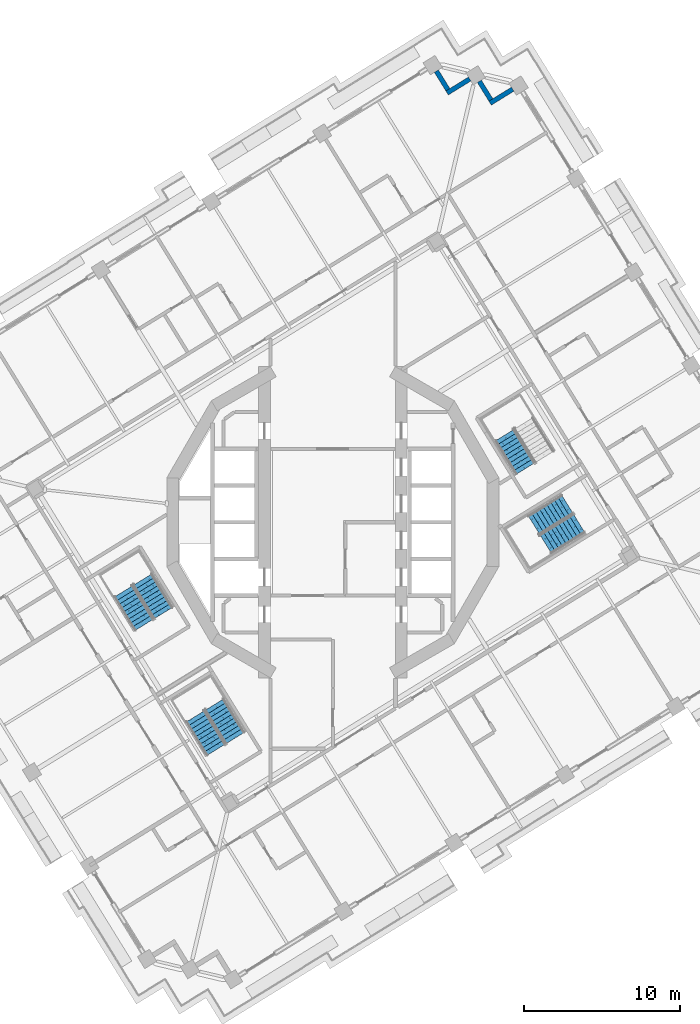
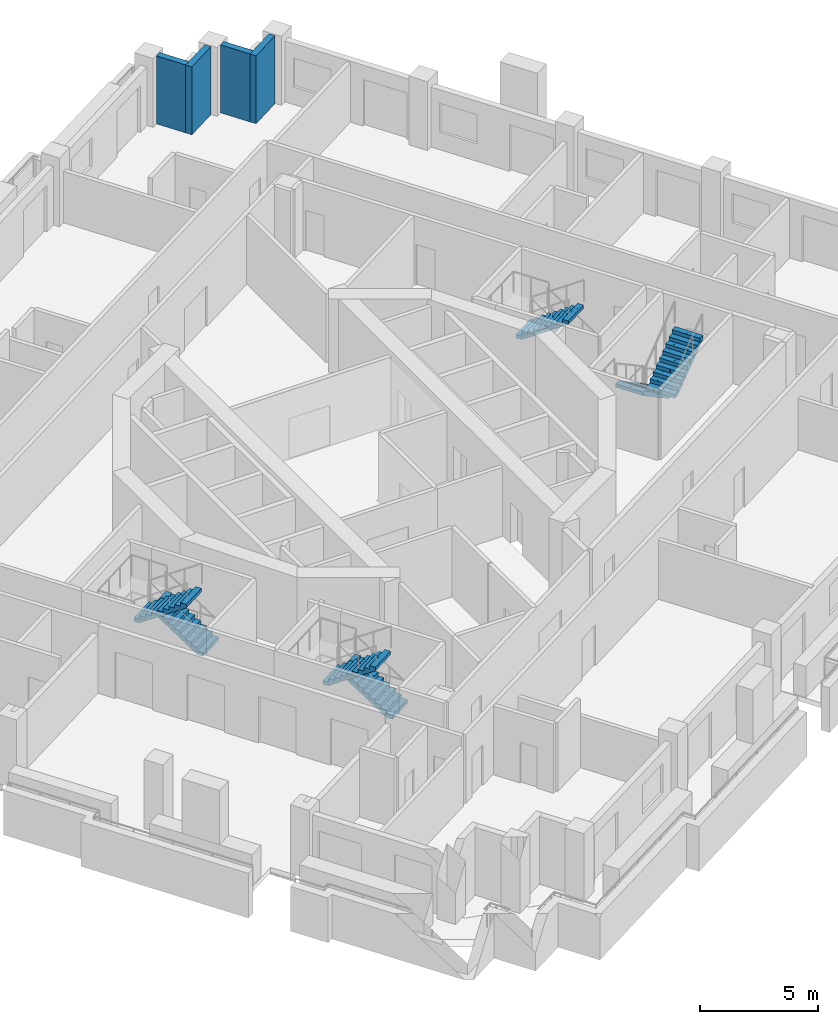
# One storey, part 10 of 20: 7 stair flights, 4 walls, 4 elements without a shape of their own.
"""IFC4 building model written with IfcOpenShell, lengths in metres."""

from ifc_helpers import new_model, si_unit, direction, frame, frame_2d, origin, place, context, subcontext, project, spatial, polyline, rectangle, outline, extrude, material, layer, layer_set, type_object, element, aggregate, save


model = new_model("IFC4")

# Units and contexts
model_context = context("Model", 3, precision=1e-05, world=origin(), true_north=direction((0.0, 1.0)))
body_context = subcontext(model_context, "Body", "Model", "MODEL_VIEW")
ifc_project = project(units=[si_unit("LENGTHUNIT", "METRE"), si_unit("AREAUNIT", "SQUARE_METRE"), si_unit("VOLUMEUNIT", "CUBIC_METRE"), si_unit("PLANEANGLEUNIT", "RADIAN"), si_unit("MASSUNIT", "GRAM", prefix="KILO")], contexts=[model_context])

# Site, building, storey
site_placement = place(None, origin())
site = spatial("IfcSite", under=ifc_project, at=site_placement, CompositionType="ELEMENT")
building_placement = place(site_placement, origin())
building = spatial("IfcBuilding", under=site, at=building_placement, Name="Cantera Rosa Tower", CompositionType="ELEMENT")
storey_placement = place(building_placement, frame((0.0, 0.0, 159.0)))
storey = spatial("IfcBuildingStorey", under=building, at=storey_placement, Name="L34", CompositionType="ELEMENT", Elevation=159.0)

# Walls
ifc_material_1 = material(Name="Hollow clay masonry with cantera stone cladding", Category="masonry")
ifc_layer = layer(ifc_material_1, 0.300048828125)
ifc_layer_set = layer_set([ifc_layer], Name="EW-LOGGIA 300")
wall_type = type_object("IfcWallType", Name="EW-LOGGIA 300", PredefinedType="SOLIDWALL", material=ifc_layer_set)
wall_1_placement = place(storey_placement, frame((11.51123046875, 27.72021484375, 0.0), z_axis=(0.0, 0.0, 1.0), x_axis=(-0.851130227454, -0.524954603669, 0.0)))
element("IfcWall", 1, at=wall_1_placement, inside=storey, type_object=wall_type, Name="EN-L34-W06a", PredefinedType="SOLIDWALL", context=body_context, shape_type="SweptSolid", body=[
    extrude(rectangle(XDim=1.699951171875, YDim=0.300048828125, at=frame_2d((0.85009765625, 0.0))), origin(), (0.0, 0.0, 1.0), 3.5),
])
wall_2_placement = place(storey_placement, frame((10.11328125, 27.0341796875, 0.0), z_axis=(0.0, 0.0, 1.0), x_axis=(-0.524895019961, 0.85116697423, 0.0)))
element("IfcWall", 2, at=wall_2_placement, inside=storey, type_object=wall_type, Name="EN-L34-W06b", PredefinedType="SOLIDWALL", context=body_context, shape_type="SweptSolid", body=[
    extrude(rectangle(XDim=1.39990234375, YDim=0.300048828125, at=frame_2d((0.699951171875, 0.0))), origin(), (0.0, 0.0, 1.0), 3.5),
])
wall_3_placement = place(storey_placement, frame((8.75927734375, 28.37255859375, 0.0), z_axis=(0.0, 0.0, 1.0), x_axis=(-0.851105638601, -0.524994468487, 0.0)))
element("IfcWall", 3, at=wall_3_placement, inside=storey, type_object=wall_type, Name="EN-L34-W07a", PredefinedType="SOLIDWALL", context=body_context, shape_type="SweptSolid", body=[
    extrude(rectangle(XDim=1.7001953125, YDim=0.300048828125, at=frame_2d((0.85009765625, 0.0))), origin(), (0.0, 0.0, 1.0), 3.5),
])
wall_4_placement = place(storey_placement, frame((7.361083984375, 27.6865234375, 0.0), z_axis=(0.0, 0.0, 1.0), x_axis=(-0.524895019961, 0.85116697423, 0.0)))
element("IfcWall", 4, at=wall_4_placement, inside=storey, type_object=wall_type, Name="EN-L34-W07b", PredefinedType="SOLIDWALL", context=body_context, shape_type="SweptSolid", body=[
    extrude(rectangle(XDim=1.39990234375, YDim=0.300048828125, at=frame_2d((0.699951171875, 0.0))), origin(), (0.0, 0.0, 1.0), 3.5),
])

# Stair, stair flight
ifc_material_2 = material(Name="Concrete C35/45", Category="concrete")
stair_type = type_object("IfcStairType", Name="EXIT STAIR 1350 DOGLEG", PredefinedType="HALF_TURN_STAIR", material=ifc_material_2)
stair_1_placement = place(storey_placement, origin())
stair_1 = element("IfcStair", 5, at=stair_1_placement, inside=storey, type_object=stair_type, Name="L34 ST-31", PredefinedType="HALF_TURN_STAIR")
ifc_material_3 = material(Name="Concrete C35/45", Category="concrete")
stair_flight_type = type_object("IfcStairFlightType", Name="STAIR FLIGHT 1350 R20x190", PredefinedType="STRAIGHT", material=ifc_material_3)
stair_flight_1_placement = place(storey_placement, frame((10.9736328125, 5.5595703125, 1.89990234375), z_axis=(0.0, 0.0, 1.0), x_axis=(0.524976585286, -0.851116669383, 0.0)))
stair_flight_1 = element("IfcStairFlight", 6, at=stair_flight_1_placement, type_object=stair_flight_type, Name="ST-31 flight 2", NumberOfRisers=10, NumberOfTreads=9, PredefinedType="STRAIGHT", RiserHeight=0.19, TreadLength=0.28, context=body_context, shape_type="SweptSolid", body=[
    extrude(outline(polyline([(0.0, 0.0), (0.0, 0.18994140625), (0.280029296875, 0.18994140625), (0.280029296875, 0.3798828125), (0.56005859375, 0.3798828125), (0.56005859375, 0.570068359375), (0.840087890625, 0.570068359375), (0.840087890625, 0.760009765625), (1.1201171875, 0.760009765625), (1.1201171875, 0.949951171875), (1.39990234375, 0.949951171875), (1.39990234375, 1.139892578125), (1.679931640625, 1.139892578125), (1.679931640625, 1.330078125), (1.9599609375, 1.330078125), (1.9599609375, 1.52001953125), (2.239990234375, 1.52001953125), (2.239990234375, 1.7099609375), (2.52001953125, 1.7099609375), (2.52001953125, 1.89990234375), (2.52001953125, 1.52880859375), (0.266845703125, 0.0), (0.0, 0.0)])), frame((0.0, 0.675048828125, 0.0), z_axis=(0.0, -1.0, 0.0), x_axis=(1.0, 0.0, 0.0)), (0.0, 0.0, 1.0), 0.3359375),
    extrude(outline(polyline([(0.0, 0.0), (0.0, 0.18994140625), (0.280029296875, 0.18994140625), (0.280029296875, 0.3798828125), (0.56005859375, 0.3798828125), (0.56005859375, 0.570068359375), (0.840087890625, 0.570068359375), (0.840087890625, 0.760009765625), (1.1201171875, 0.760009765625), (1.1201171875, 0.949951171875), (1.39990234375, 0.949951171875), (1.39990234375, 1.139892578125), (1.679931640625, 1.139892578125), (1.679931640625, 1.330078125), (1.9599609375, 1.330078125), (1.9599609375, 1.52001953125), (2.239990234375, 1.52001953125), (2.239990234375, 1.7099609375), (2.52001953125, 1.7099609375), (2.52001953125, 1.89990234375), (2.52001953125, 1.52880859375), (0.266845703125, 0.0), (0.0, 0.0)])), frame((0.0, 0.337158203125, 0.0), z_axis=(0.0, -1.0, 0.0), x_axis=(1.0, 0.0, 0.0)), (0.0, 0.0, 1.0), 0.3359375),
    extrude(outline(polyline([(0.0, 0.0), (0.0, 0.18994140625), (0.280029296875, 0.18994140625), (0.280029296875, 0.3798828125), (0.56005859375, 0.3798828125), (0.56005859375, 0.570068359375), (0.840087890625, 0.570068359375), (0.840087890625, 0.760009765625), (1.1201171875, 0.760009765625), (1.1201171875, 0.949951171875), (1.39990234375, 0.949951171875), (1.39990234375, 1.139892578125), (1.679931640625, 1.139892578125), (1.679931640625, 1.330078125), (1.9599609375, 1.330078125), (1.9599609375, 1.52001953125), (2.239990234375, 1.52001953125), (2.239990234375, 1.7099609375), (2.52001953125, 1.7099609375), (2.52001953125, 1.89990234375), (2.52001953125, 1.52880859375), (0.266845703125, 0.0), (0.0, 0.0)])), frame((0.0, -0.000732421875, 0.0), z_axis=(0.0, -1.0, 0.0), x_axis=(1.0, 0.0, 0.0)), (0.0, 0.0, 1.0), 0.3359375),
    extrude(outline(polyline([(0.0, 0.0), (0.0, 0.18994140625), (0.280029296875, 0.18994140625), (0.280029296875, 0.3798828125), (0.56005859375, 0.3798828125), (0.56005859375, 0.570068359375), (0.840087890625, 0.570068359375), (0.840087890625, 0.760009765625), (1.1201171875, 0.760009765625), (1.1201171875, 0.949951171875), (1.39990234375, 0.949951171875), (1.39990234375, 1.139892578125), (1.679931640625, 1.139892578125), (1.679931640625, 1.330078125), (1.9599609375, 1.330078125), (1.9599609375, 1.52001953125), (2.239990234375, 1.52001953125), (2.239990234375, 1.7099609375), (2.52001953125, 1.7099609375), (2.52001953125, 1.89990234375), (2.52001953125, 1.52880859375), (0.266845703125, 0.0), (0.0, 0.0)])), frame((0.0, -0.338623046875, 0.0), z_axis=(0.0, -1.0, 0.0), x_axis=(1.0, 0.0, 0.0)), (0.0, 0.0, 1.0), 0.3359375),
])
aggregate(stair_1, [stair_flight_1])

# Stair, stair flights
stair_2_placement = place(storey_placement, origin())
stair_2 = element("IfcStair", 7, at=stair_2_placement, inside=storey, type_object=stair_type, Name="L34 ST-32", PredefinedType="HALF_TURN_STAIR")
stair_flight_2_placement = place(storey_placement, frame((-10.82666015625, -5.7978515625, 0.0), z_axis=(0.0, 0.0, 1.0), x_axis=(-0.524976585286, 0.851116669383, 0.0)))
stair_flight_2 = element("IfcStairFlight", 8, at=stair_flight_2_placement, type_object=stair_flight_type, Name="ST-32 flight 1", NumberOfRisers=10, NumberOfTreads=9, PredefinedType="STRAIGHT", RiserHeight=0.19, TreadLength=0.28, context=body_context, shape_type="SweptSolid", body=[
    extrude(outline(polyline([(0.0, 0.0), (0.0, 0.18994140625), (0.280029296875, 0.18994140625), (0.280029296875, 0.3798828125), (0.56005859375, 0.3798828125), (0.56005859375, 0.570068359375), (0.840087890625, 0.570068359375), (0.840087890625, 0.760009765625), (1.1201171875, 0.760009765625), (1.1201171875, 0.949951171875), (1.39990234375, 0.949951171875), (1.39990234375, 1.139892578125), (1.679931640625, 1.139892578125), (1.679931640625, 1.330078125), (1.9599609375, 1.330078125), (1.9599609375, 1.52001953125), (2.239990234375, 1.52001953125), (2.239990234375, 1.7099609375), (2.52001953125, 1.7099609375), (2.52001953125, 1.89990234375), (2.52001953125, 1.52880859375), (0.266845703125, 0.0), (0.0, 0.0)])), frame((0.0, 0.675048828125, 0.0), z_axis=(0.0, -1.0, 0.0), x_axis=(1.0, 0.0, 0.0)), (0.0, 0.0, 1.0), 0.3359375),
    extrude(outline(polyline([(0.0, 0.0), (0.0, 0.18994140625), (0.280029296875, 0.18994140625), (0.280029296875, 0.3798828125), (0.56005859375, 0.3798828125), (0.56005859375, 0.570068359375), (0.840087890625, 0.570068359375), (0.840087890625, 0.760009765625), (1.1201171875, 0.760009765625), (1.1201171875, 0.949951171875), (1.39990234375, 0.949951171875), (1.39990234375, 1.139892578125), (1.679931640625, 1.139892578125), (1.679931640625, 1.330078125), (1.9599609375, 1.330078125), (1.9599609375, 1.52001953125), (2.239990234375, 1.52001953125), (2.239990234375, 1.7099609375), (2.52001953125, 1.7099609375), (2.52001953125, 1.89990234375), (2.52001953125, 1.52880859375), (0.266845703125, 0.0), (0.0, 0.0)])), frame((0.0, 0.337158203125, 0.0), z_axis=(0.0, -1.0, 0.0), x_axis=(1.0, 0.0, 0.0)), (0.0, 0.0, 1.0), 0.3359375),
    extrude(outline(polyline([(0.0, 0.0), (0.0, 0.18994140625), (0.280029296875, 0.18994140625), (0.280029296875, 0.3798828125), (0.56005859375, 0.3798828125), (0.56005859375, 0.570068359375), (0.840087890625, 0.570068359375), (0.840087890625, 0.760009765625), (1.1201171875, 0.760009765625), (1.1201171875, 0.949951171875), (1.39990234375, 0.949951171875), (1.39990234375, 1.139892578125), (1.679931640625, 1.139892578125), (1.679931640625, 1.330078125), (1.9599609375, 1.330078125), (1.9599609375, 1.52001953125), (2.239990234375, 1.52001953125), (2.239990234375, 1.7099609375), (2.52001953125, 1.7099609375), (2.52001953125, 1.89990234375), (2.52001953125, 1.52880859375), (0.266845703125, 0.0), (0.0, 0.0)])), frame((0.0, -0.000732421875, 0.0), z_axis=(0.0, -1.0, 0.0), x_axis=(1.0, 0.0, 0.0)), (0.0, 0.0, 1.0), 0.3359375),
    extrude(outline(polyline([(0.0, 0.0), (0.0, 0.18994140625), (0.280029296875, 0.18994140625), (0.280029296875, 0.3798828125), (0.56005859375, 0.3798828125), (0.56005859375, 0.570068359375), (0.840087890625, 0.570068359375), (0.840087890625, 0.760009765625), (1.1201171875, 0.760009765625), (1.1201171875, 0.949951171875), (1.39990234375, 0.949951171875), (1.39990234375, 1.139892578125), (1.679931640625, 1.139892578125), (1.679931640625, 1.330078125), (1.9599609375, 1.330078125), (1.9599609375, 1.52001953125), (2.239990234375, 1.52001953125), (2.239990234375, 1.7099609375), (2.52001953125, 1.7099609375), (2.52001953125, 1.89990234375), (2.52001953125, 1.52880859375), (0.266845703125, 0.0), (0.0, 0.0)])), frame((0.0, -0.338623046875, 0.0), z_axis=(0.0, -1.0, 0.0), x_axis=(1.0, 0.0, 0.0)), (0.0, 0.0, 1.0), 0.3359375),
])
stair_flight_3_placement = place(storey_placement, frame((-13.42626953125, -4.4404296875, 1.89990234375), z_axis=(0.0, 0.0, 1.0), x_axis=(0.524976585286, -0.851116669383, 0.0)))
stair_flight_3 = element("IfcStairFlight", 9, at=stair_flight_3_placement, type_object=stair_flight_type, Name="ST-32 flight 2", NumberOfRisers=10, NumberOfTreads=9, PredefinedType="STRAIGHT", RiserHeight=0.19, TreadLength=0.28, context=body_context, shape_type="SweptSolid", body=[
    extrude(outline(polyline([(0.0, 0.0), (0.0, 0.18994140625), (0.280029296875, 0.18994140625), (0.280029296875, 0.3798828125), (0.56005859375, 0.3798828125), (0.56005859375, 0.570068359375), (0.840087890625, 0.570068359375), (0.840087890625, 0.760009765625), (1.1201171875, 0.760009765625), (1.1201171875, 0.949951171875), (1.39990234375, 0.949951171875), (1.39990234375, 1.139892578125), (1.679931640625, 1.139892578125), (1.679931640625, 1.330078125), (1.9599609375, 1.330078125), (1.9599609375, 1.52001953125), (2.239990234375, 1.52001953125), (2.239990234375, 1.7099609375), (2.52001953125, 1.7099609375), (2.52001953125, 1.89990234375), (2.52001953125, 1.52880859375), (0.266845703125, 0.0), (0.0, 0.0)])), frame((0.0, 0.675048828125, 0.0), z_axis=(0.0, -1.0, 0.0), x_axis=(1.0, 0.0, 0.0)), (0.0, 0.0, 1.0), 0.3359375),
    extrude(outline(polyline([(0.0, 0.0), (0.0, 0.18994140625), (0.280029296875, 0.18994140625), (0.280029296875, 0.3798828125), (0.56005859375, 0.3798828125), (0.56005859375, 0.570068359375), (0.840087890625, 0.570068359375), (0.840087890625, 0.760009765625), (1.1201171875, 0.760009765625), (1.1201171875, 0.949951171875), (1.39990234375, 0.949951171875), (1.39990234375, 1.139892578125), (1.679931640625, 1.139892578125), (1.679931640625, 1.330078125), (1.9599609375, 1.330078125), (1.9599609375, 1.52001953125), (2.239990234375, 1.52001953125), (2.239990234375, 1.7099609375), (2.52001953125, 1.7099609375), (2.52001953125, 1.89990234375), (2.52001953125, 1.52880859375), (0.266845703125, 0.0), (0.0, 0.0)])), frame((0.0, 0.337158203125, 0.0), z_axis=(0.0, -1.0, 0.0), x_axis=(1.0, 0.0, 0.0)), (0.0, 0.0, 1.0), 0.3359375),
    extrude(outline(polyline([(0.0, 0.0), (0.0, 0.18994140625), (0.280029296875, 0.18994140625), (0.280029296875, 0.3798828125), (0.56005859375, 0.3798828125), (0.56005859375, 0.570068359375), (0.840087890625, 0.570068359375), (0.840087890625, 0.760009765625), (1.1201171875, 0.760009765625), (1.1201171875, 0.949951171875), (1.39990234375, 0.949951171875), (1.39990234375, 1.139892578125), (1.679931640625, 1.139892578125), (1.679931640625, 1.330078125), (1.9599609375, 1.330078125), (1.9599609375, 1.52001953125), (2.239990234375, 1.52001953125), (2.239990234375, 1.7099609375), (2.52001953125, 1.7099609375), (2.52001953125, 1.89990234375), (2.52001953125, 1.52880859375), (0.266845703125, 0.0), (0.0, 0.0)])), frame((0.0, -0.000732421875, 0.0), z_axis=(0.0, -1.0, 0.0), x_axis=(1.0, 0.0, 0.0)), (0.0, 0.0, 1.0), 0.3359375),
    extrude(outline(polyline([(0.0, 0.0), (0.0, 0.18994140625), (0.280029296875, 0.18994140625), (0.280029296875, 0.3798828125), (0.56005859375, 0.3798828125), (0.56005859375, 0.570068359375), (0.840087890625, 0.570068359375), (0.840087890625, 0.760009765625), (1.1201171875, 0.760009765625), (1.1201171875, 0.949951171875), (1.39990234375, 0.949951171875), (1.39990234375, 1.139892578125), (1.679931640625, 1.139892578125), (1.679931640625, 1.330078125), (1.9599609375, 1.330078125), (1.9599609375, 1.52001953125), (2.239990234375, 1.52001953125), (2.239990234375, 1.7099609375), (2.52001953125, 1.7099609375), (2.52001953125, 1.89990234375), (2.52001953125, 1.52880859375), (0.266845703125, 0.0), (0.0, 0.0)])), frame((0.0, -0.338623046875, 0.0), z_axis=(0.0, -1.0, 0.0), x_axis=(1.0, 0.0, 0.0)), (0.0, 0.0, 1.0), 0.3359375),
])
aggregate(stair_2, [stair_flight_2, stair_flight_3])

stair_3_placement = place(storey_placement, origin())
stair_3 = element("IfcStair", 10, at=stair_3_placement, inside=storey, type_object=stair_type, Name="L34 ST-33", PredefinedType="HALF_TURN_STAIR")
stair_flight_4_placement = place(storey_placement, frame((-6.226806640625, -13.7978515625, 0.0), z_axis=(0.0, 0.0, 1.0), x_axis=(-0.524976585286, 0.851116669383, 0.0)))
stair_flight_4 = element("IfcStairFlight", 11, at=stair_flight_4_placement, type_object=stair_flight_type, Name="ST-33 flight 1", NumberOfRisers=10, NumberOfTreads=9, PredefinedType="STRAIGHT", RiserHeight=0.19, TreadLength=0.28, context=body_context, shape_type="SweptSolid", body=[
    extrude(outline(polyline([(0.0, 0.0), (0.0, 0.18994140625), (0.280029296875, 0.18994140625), (0.280029296875, 0.3798828125), (0.56005859375, 0.3798828125), (0.56005859375, 0.570068359375), (0.840087890625, 0.570068359375), (0.840087890625, 0.760009765625), (1.1201171875, 0.760009765625), (1.1201171875, 0.949951171875), (1.39990234375, 0.949951171875), (1.39990234375, 1.139892578125), (1.679931640625, 1.139892578125), (1.679931640625, 1.330078125), (1.9599609375, 1.330078125), (1.9599609375, 1.52001953125), (2.239990234375, 1.52001953125), (2.239990234375, 1.7099609375), (2.52001953125, 1.7099609375), (2.52001953125, 1.89990234375), (2.52001953125, 1.52880859375), (0.266845703125, 0.0), (0.0, 0.0)])), frame((0.0, 0.675048828125, 0.0), z_axis=(0.0, -1.0, 0.0), x_axis=(1.0, 0.0, 0.0)), (0.0, 0.0, 1.0), 0.3359375),
    extrude(outline(polyline([(0.0, 0.0), (0.0, 0.18994140625), (0.280029296875, 0.18994140625), (0.280029296875, 0.3798828125), (0.56005859375, 0.3798828125), (0.56005859375, 0.570068359375), (0.840087890625, 0.570068359375), (0.840087890625, 0.760009765625), (1.1201171875, 0.760009765625), (1.1201171875, 0.949951171875), (1.39990234375, 0.949951171875), (1.39990234375, 1.139892578125), (1.679931640625, 1.139892578125), (1.679931640625, 1.330078125), (1.9599609375, 1.330078125), (1.9599609375, 1.52001953125), (2.239990234375, 1.52001953125), (2.239990234375, 1.7099609375), (2.52001953125, 1.7099609375), (2.52001953125, 1.89990234375), (2.52001953125, 1.52880859375), (0.266845703125, 0.0), (0.0, 0.0)])), frame((0.0, 0.337158203125, 0.0), z_axis=(0.0, -1.0, 0.0), x_axis=(1.0, 0.0, 0.0)), (0.0, 0.0, 1.0), 0.3359375),
    extrude(outline(polyline([(0.0, 0.0), (0.0, 0.18994140625), (0.280029296875, 0.18994140625), (0.280029296875, 0.3798828125), (0.56005859375, 0.3798828125), (0.56005859375, 0.570068359375), (0.840087890625, 0.570068359375), (0.840087890625, 0.760009765625), (1.1201171875, 0.760009765625), (1.1201171875, 0.949951171875), (1.39990234375, 0.949951171875), (1.39990234375, 1.139892578125), (1.679931640625, 1.139892578125), (1.679931640625, 1.330078125), (1.9599609375, 1.330078125), (1.9599609375, 1.52001953125), (2.239990234375, 1.52001953125), (2.239990234375, 1.7099609375), (2.52001953125, 1.7099609375), (2.52001953125, 1.89990234375), (2.52001953125, 1.52880859375), (0.266845703125, 0.0), (0.0, 0.0)])), frame((0.0, -0.000732421875, 0.0), z_axis=(0.0, -1.0, 0.0), x_axis=(1.0, 0.0, 0.0)), (0.0, 0.0, 1.0), 0.3359375),
    extrude(outline(polyline([(0.0, 0.0), (0.0, 0.18994140625), (0.280029296875, 0.18994140625), (0.280029296875, 0.3798828125), (0.56005859375, 0.3798828125), (0.56005859375, 0.570068359375), (0.840087890625, 0.570068359375), (0.840087890625, 0.760009765625), (1.1201171875, 0.760009765625), (1.1201171875, 0.949951171875), (1.39990234375, 0.949951171875), (1.39990234375, 1.139892578125), (1.679931640625, 1.139892578125), (1.679931640625, 1.330078125), (1.9599609375, 1.330078125), (1.9599609375, 1.52001953125), (2.239990234375, 1.52001953125), (2.239990234375, 1.7099609375), (2.52001953125, 1.7099609375), (2.52001953125, 1.89990234375), (2.52001953125, 1.52880859375), (0.266845703125, 0.0), (0.0, 0.0)])), frame((0.0, -0.338623046875, 0.0), z_axis=(0.0, -1.0, 0.0), x_axis=(1.0, 0.0, 0.0)), (0.0, 0.0, 1.0), 0.3359375),
])
stair_flight_5_placement = place(storey_placement, frame((-8.826416015625, -12.4404296875, 1.89990234375), z_axis=(0.0, 0.0, 1.0), x_axis=(0.524976585286, -0.851116669383, 0.0)))
stair_flight_5 = element("IfcStairFlight", 12, at=stair_flight_5_placement, type_object=stair_flight_type, Name="ST-33 flight 2", NumberOfRisers=10, NumberOfTreads=9, PredefinedType="STRAIGHT", RiserHeight=0.19, TreadLength=0.28, context=body_context, shape_type="SweptSolid", body=[
    extrude(outline(polyline([(0.0, 0.0), (0.0, 0.18994140625), (0.280029296875, 0.18994140625), (0.280029296875, 0.3798828125), (0.56005859375, 0.3798828125), (0.56005859375, 0.570068359375), (0.840087890625, 0.570068359375), (0.840087890625, 0.760009765625), (1.1201171875, 0.760009765625), (1.1201171875, 0.949951171875), (1.39990234375, 0.949951171875), (1.39990234375, 1.139892578125), (1.679931640625, 1.139892578125), (1.679931640625, 1.330078125), (1.9599609375, 1.330078125), (1.9599609375, 1.52001953125), (2.239990234375, 1.52001953125), (2.239990234375, 1.7099609375), (2.52001953125, 1.7099609375), (2.52001953125, 1.89990234375), (2.52001953125, 1.52880859375), (0.266845703125, 0.0), (0.0, 0.0)])), frame((0.0, 0.675048828125, 0.0), z_axis=(0.0, -1.0, 0.0), x_axis=(1.0, 0.0, 0.0)), (0.0, 0.0, 1.0), 0.3359375),
    extrude(outline(polyline([(0.0, 0.0), (0.0, 0.18994140625), (0.280029296875, 0.18994140625), (0.280029296875, 0.3798828125), (0.56005859375, 0.3798828125), (0.56005859375, 0.570068359375), (0.840087890625, 0.570068359375), (0.840087890625, 0.760009765625), (1.1201171875, 0.760009765625), (1.1201171875, 0.949951171875), (1.39990234375, 0.949951171875), (1.39990234375, 1.139892578125), (1.679931640625, 1.139892578125), (1.679931640625, 1.330078125), (1.9599609375, 1.330078125), (1.9599609375, 1.52001953125), (2.239990234375, 1.52001953125), (2.239990234375, 1.7099609375), (2.52001953125, 1.7099609375), (2.52001953125, 1.89990234375), (2.52001953125, 1.52880859375), (0.266845703125, 0.0), (0.0, 0.0)])), frame((0.0, 0.337158203125, 0.0), z_axis=(0.0, -1.0, 0.0), x_axis=(1.0, 0.0, 0.0)), (0.0, 0.0, 1.0), 0.3359375),
    extrude(outline(polyline([(0.0, 0.0), (0.0, 0.18994140625), (0.280029296875, 0.18994140625), (0.280029296875, 0.3798828125), (0.56005859375, 0.3798828125), (0.56005859375, 0.570068359375), (0.840087890625, 0.570068359375), (0.840087890625, 0.760009765625), (1.1201171875, 0.760009765625), (1.1201171875, 0.949951171875), (1.39990234375, 0.949951171875), (1.39990234375, 1.139892578125), (1.679931640625, 1.139892578125), (1.679931640625, 1.330078125), (1.9599609375, 1.330078125), (1.9599609375, 1.52001953125), (2.239990234375, 1.52001953125), (2.239990234375, 1.7099609375), (2.52001953125, 1.7099609375), (2.52001953125, 1.89990234375), (2.52001953125, 1.52880859375), (0.266845703125, 0.0), (0.0, 0.0)])), frame((0.0, -0.000732421875, 0.0), z_axis=(0.0, -1.0, 0.0), x_axis=(1.0, 0.0, 0.0)), (0.0, 0.0, 1.0), 0.3359375),
    extrude(outline(polyline([(0.0, 0.0), (0.0, 0.18994140625), (0.280029296875, 0.18994140625), (0.280029296875, 0.3798828125), (0.56005859375, 0.3798828125), (0.56005859375, 0.570068359375), (0.840087890625, 0.570068359375), (0.840087890625, 0.760009765625), (1.1201171875, 0.760009765625), (1.1201171875, 0.949951171875), (1.39990234375, 0.949951171875), (1.39990234375, 1.139892578125), (1.679931640625, 1.139892578125), (1.679931640625, 1.330078125), (1.9599609375, 1.330078125), (1.9599609375, 1.52001953125), (2.239990234375, 1.52001953125), (2.239990234375, 1.7099609375), (2.52001953125, 1.7099609375), (2.52001953125, 1.89990234375), (2.52001953125, 1.52880859375), (0.266845703125, 0.0), (0.0, 0.0)])), frame((0.0, -0.338623046875, 0.0), z_axis=(0.0, -1.0, 0.0), x_axis=(1.0, 0.0, 0.0)), (0.0, 0.0, 1.0), 0.3359375),
])
aggregate(stair_3, [stair_flight_4, stair_flight_5])

stair_4_placement = place(storey_placement, origin())
stair_4 = element("IfcStair", 13, at=stair_4_placement, inside=storey, type_object=stair_type, Name="L34 ST-34", PredefinedType="HALF_TURN_STAIR")
stair_flight_6_placement = place(storey_placement, frame((14.997802734375, 1.17333984375, 0.0), z_axis=(0.0, 0.0, 1.0), x_axis=(-0.851116669383, -0.524976585286, 0.0)))
stair_flight_6 = element("IfcStairFlight", 14, at=stair_flight_6_placement, type_object=stair_flight_type, Name="ST-34 flight 1", NumberOfRisers=10, NumberOfTreads=9, PredefinedType="STRAIGHT", RiserHeight=0.19, TreadLength=0.28, context=body_context, shape_type="SweptSolid", body=[
    extrude(outline(polyline([(0.0, 0.0), (0.0, 0.18994140625), (0.280029296875, 0.18994140625), (0.280029296875, 0.3798828125), (0.56005859375, 0.3798828125), (0.56005859375, 0.570068359375), (0.840087890625, 0.570068359375), (0.840087890625, 0.760009765625), (1.1201171875, 0.760009765625), (1.1201171875, 0.949951171875), (1.39990234375, 0.949951171875), (1.39990234375, 1.139892578125), (1.679931640625, 1.139892578125), (1.679931640625, 1.330078125), (1.9599609375, 1.330078125), (1.9599609375, 1.52001953125), (2.239990234375, 1.52001953125), (2.239990234375, 1.7099609375), (2.52001953125, 1.7099609375), (2.52001953125, 1.89990234375), (2.52001953125, 1.52880859375), (0.266845703125, 0.0), (0.0, 0.0)])), frame((0.0, 0.675048828125, 0.0), z_axis=(0.0, -1.0, 0.0), x_axis=(1.0, 0.0, 0.0)), (0.0, 0.0, 1.0), 0.3359375),
    extrude(outline(polyline([(0.0, 0.0), (0.0, 0.18994140625), (0.280029296875, 0.18994140625), (0.280029296875, 0.3798828125), (0.56005859375, 0.3798828125), (0.56005859375, 0.570068359375), (0.840087890625, 0.570068359375), (0.840087890625, 0.760009765625), (1.1201171875, 0.760009765625), (1.1201171875, 0.949951171875), (1.39990234375, 0.949951171875), (1.39990234375, 1.139892578125), (1.679931640625, 1.139892578125), (1.679931640625, 1.330078125), (1.9599609375, 1.330078125), (1.9599609375, 1.52001953125), (2.239990234375, 1.52001953125), (2.239990234375, 1.7099609375), (2.52001953125, 1.7099609375), (2.52001953125, 1.89990234375), (2.52001953125, 1.52880859375), (0.266845703125, 0.0), (0.0, 0.0)])), frame((0.0, 0.337158203125, 0.0), z_axis=(0.0, -1.0, 0.0), x_axis=(1.0, 0.0, 0.0)), (0.0, 0.0, 1.0), 0.3359375),
    extrude(outline(polyline([(0.0, 0.0), (0.0, 0.18994140625), (0.280029296875, 0.18994140625), (0.280029296875, 0.3798828125), (0.56005859375, 0.3798828125), (0.56005859375, 0.570068359375), (0.840087890625, 0.570068359375), (0.840087890625, 0.760009765625), (1.1201171875, 0.760009765625), (1.1201171875, 0.949951171875), (1.39990234375, 0.949951171875), (1.39990234375, 1.139892578125), (1.679931640625, 1.139892578125), (1.679931640625, 1.330078125), (1.9599609375, 1.330078125), (1.9599609375, 1.52001953125), (2.239990234375, 1.52001953125), (2.239990234375, 1.7099609375), (2.52001953125, 1.7099609375), (2.52001953125, 1.89990234375), (2.52001953125, 1.52880859375), (0.266845703125, 0.0), (0.0, 0.0)])), frame((0.0, -0.000732421875, 0.0), z_axis=(0.0, -1.0, 0.0), x_axis=(1.0, 0.0, 0.0)), (0.0, 0.0, 1.0), 0.3359375),
    extrude(outline(polyline([(0.0, 0.0), (0.0, 0.18994140625), (0.280029296875, 0.18994140625), (0.280029296875, 0.3798828125), (0.56005859375, 0.3798828125), (0.56005859375, 0.570068359375), (0.840087890625, 0.570068359375), (0.840087890625, 0.760009765625), (1.1201171875, 0.760009765625), (1.1201171875, 0.949951171875), (1.39990234375, 0.949951171875), (1.39990234375, 1.139892578125), (1.679931640625, 1.139892578125), (1.679931640625, 1.330078125), (1.9599609375, 1.330078125), (1.9599609375, 1.52001953125), (2.239990234375, 1.52001953125), (2.239990234375, 1.7099609375), (2.52001953125, 1.7099609375), (2.52001953125, 1.89990234375), (2.52001953125, 1.52880859375), (0.266845703125, 0.0), (0.0, 0.0)])), frame((0.0, -0.338623046875, 0.0), z_axis=(0.0, -1.0, 0.0), x_axis=(1.0, 0.0, 0.0)), (0.0, 0.0, 1.0), 0.3359375),
])
stair_flight_7_placement = place(storey_placement, frame((13.640380859375, -1.42626953125, 1.89990234375), z_axis=(0.0, 0.0, 1.0), x_axis=(0.851116669383, 0.524976585286, 0.0)))
stair_flight_7 = element("IfcStairFlight", 15, at=stair_flight_7_placement, type_object=stair_flight_type, Name="ST-34 flight 2", NumberOfRisers=10, NumberOfTreads=9, PredefinedType="STRAIGHT", RiserHeight=0.19, TreadLength=0.28, context=body_context, shape_type="SweptSolid", body=[
    extrude(outline(polyline([(0.0, 0.0), (0.0, 0.18994140625), (0.280029296875, 0.18994140625), (0.280029296875, 0.3798828125), (0.56005859375, 0.3798828125), (0.56005859375, 0.570068359375), (0.840087890625, 0.570068359375), (0.840087890625, 0.760009765625), (1.1201171875, 0.760009765625), (1.1201171875, 0.949951171875), (1.39990234375, 0.949951171875), (1.39990234375, 1.139892578125), (1.679931640625, 1.139892578125), (1.679931640625, 1.330078125), (1.9599609375, 1.330078125), (1.9599609375, 1.52001953125), (2.239990234375, 1.52001953125), (2.239990234375, 1.7099609375), (2.52001953125, 1.7099609375), (2.52001953125, 1.89990234375), (2.52001953125, 1.52880859375), (0.266845703125, 0.0), (0.0, 0.0)])), frame((0.0, 0.675048828125, 0.0), z_axis=(0.0, -1.0, 0.0), x_axis=(1.0, 0.0, 0.0)), (0.0, 0.0, 1.0), 0.3359375),
    extrude(outline(polyline([(0.0, 0.0), (0.0, 0.18994140625), (0.280029296875, 0.18994140625), (0.280029296875, 0.3798828125), (0.56005859375, 0.3798828125), (0.56005859375, 0.570068359375), (0.840087890625, 0.570068359375), (0.840087890625, 0.760009765625), (1.1201171875, 0.760009765625), (1.1201171875, 0.949951171875), (1.39990234375, 0.949951171875), (1.39990234375, 1.139892578125), (1.679931640625, 1.139892578125), (1.679931640625, 1.330078125), (1.9599609375, 1.330078125), (1.9599609375, 1.52001953125), (2.239990234375, 1.52001953125), (2.239990234375, 1.7099609375), (2.52001953125, 1.7099609375), (2.52001953125, 1.89990234375), (2.52001953125, 1.52880859375), (0.266845703125, 0.0), (0.0, 0.0)])), frame((0.0, 0.337158203125, 0.0), z_axis=(0.0, -1.0, 0.0), x_axis=(1.0, 0.0, 0.0)), (0.0, 0.0, 1.0), 0.3359375),
    extrude(outline(polyline([(0.0, 0.0), (0.0, 0.18994140625), (0.280029296875, 0.18994140625), (0.280029296875, 0.3798828125), (0.56005859375, 0.3798828125), (0.56005859375, 0.570068359375), (0.840087890625, 0.570068359375), (0.840087890625, 0.760009765625), (1.1201171875, 0.760009765625), (1.1201171875, 0.949951171875), (1.39990234375, 0.949951171875), (1.39990234375, 1.139892578125), (1.679931640625, 1.139892578125), (1.679931640625, 1.330078125), (1.9599609375, 1.330078125), (1.9599609375, 1.52001953125), (2.239990234375, 1.52001953125), (2.239990234375, 1.7099609375), (2.52001953125, 1.7099609375), (2.52001953125, 1.89990234375), (2.52001953125, 1.52880859375), (0.266845703125, 0.0), (0.0, 0.0)])), frame((0.0, -0.000732421875, 0.0), z_axis=(0.0, -1.0, 0.0), x_axis=(1.0, 0.0, 0.0)), (0.0, 0.0, 1.0), 0.3359375),
    extrude(outline(polyline([(0.0, 0.0), (0.0, 0.18994140625), (0.280029296875, 0.18994140625), (0.280029296875, 0.3798828125), (0.56005859375, 0.3798828125), (0.56005859375, 0.570068359375), (0.840087890625, 0.570068359375), (0.840087890625, 0.760009765625), (1.1201171875, 0.760009765625), (1.1201171875, 0.949951171875), (1.39990234375, 0.949951171875), (1.39990234375, 1.139892578125), (1.679931640625, 1.139892578125), (1.679931640625, 1.330078125), (1.9599609375, 1.330078125), (1.9599609375, 1.52001953125), (2.239990234375, 1.52001953125), (2.239990234375, 1.7099609375), (2.52001953125, 1.7099609375), (2.52001953125, 1.89990234375), (2.52001953125, 1.52880859375), (0.266845703125, 0.0), (0.0, 0.0)])), frame((0.0, -0.338623046875, 0.0), z_axis=(0.0, -1.0, 0.0), x_axis=(1.0, 0.0, 0.0)), (0.0, 0.0, 1.0), 0.3359375),
])
aggregate(stair_4, [stair_flight_6, stair_flight_7])

save(model, "model.ifc")
